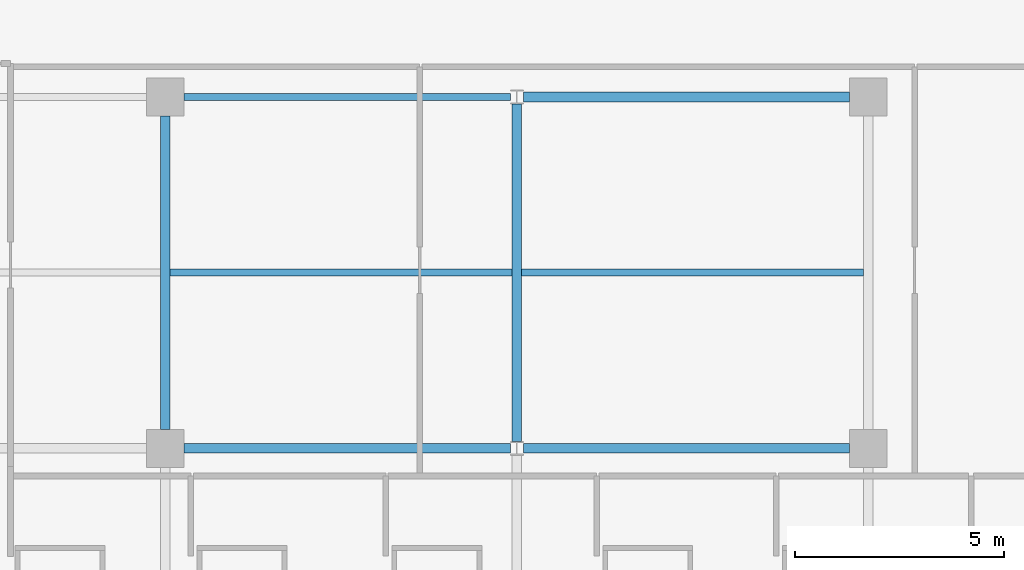
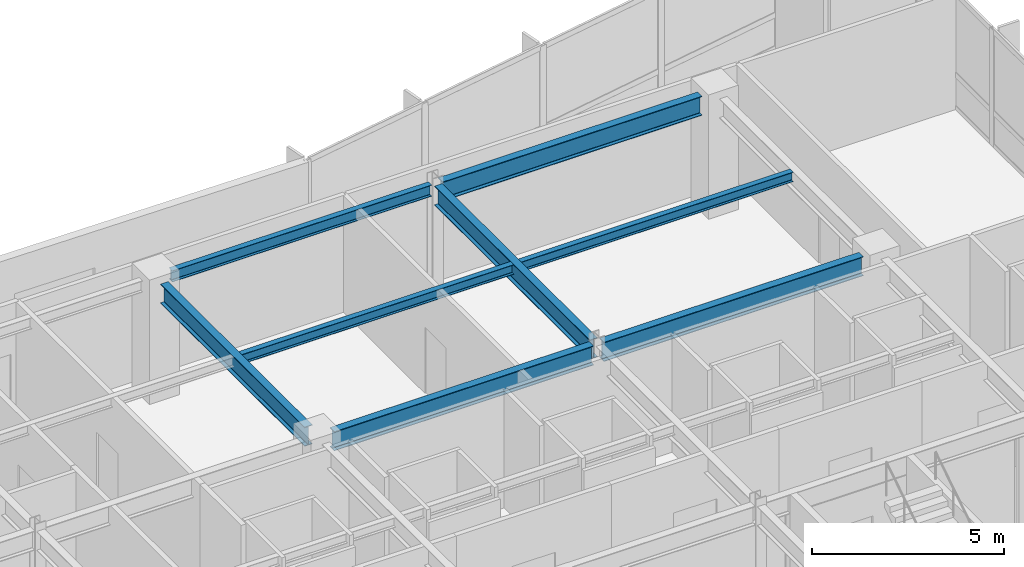
# One storey, part 6 of 19: 8 beams.
"""IFC4 building model written with IfcOpenShell, lengths in metres."""

from ifc_helpers import new_model, si_unit, direction, frame, origin, origin_2d, place, context, subcontext, project, spatial, i_section, extrude, material, material_profile, profile_set, type_object, element, save


model = new_model("IFC4")

# Units and contexts
model_context = context("Model", 3, precision=1e-05, world=origin(), true_north=direction((0.0, 1.0)))
body_context = subcontext(model_context, "Body", "Model", "MODEL_VIEW")
ifc_project = project(units=[si_unit("LENGTHUNIT", "METRE"), si_unit("AREAUNIT", "SQUARE_METRE"), si_unit("VOLUMEUNIT", "CUBIC_METRE"), si_unit("PLANEANGLEUNIT", "RADIAN"), si_unit("MASSUNIT", "GRAM", prefix="KILO")], contexts=[model_context])

# Site, building, storey
site_placement = place(None, origin())
site = spatial("IfcSite", under=ifc_project, at=site_placement, CompositionType="ELEMENT")
building_placement = place(site_placement, origin())
building = spatial("IfcBuilding", under=site, at=building_placement, Name="Varnakote Quay Hospital", CompositionType="ELEMENT")
storey_placement = place(building_placement, frame((0.0, 0.0, 85.699951171875)))
storey = spatial("IfcBuildingStorey", under=building, at=storey_placement, Name="L21", CompositionType="ELEMENT", Elevation=85.699951171875)

# Beams
ifc_material_1 = material(Name="Structural steel AS/NZS 3679.1 Grade 350 L0 (fy 340 MPa)", Category="steel")
ifc_material_profile_1 = material_profile(ifc_material_1, i_section(OverallWidth=0.22900390625, OverallDepth=0.612060546875, WebThickness=0.011962890625, FlangeThickness=0.01953125, FilletRadius=0.013916015625, at=origin_2d()), Name="610UB125")
ifc_profile_set_1 = profile_set([ifc_material_profile_1], Name="Structural steel AS/NZS 3679.1 Grade 350 L0 (fy 340 MPa)")
beam_type_1 = type_object("IfcBeamType", Name="BM-STL-610UB125", PredefinedType="BEAM", material=ifc_profile_set_1)
for number, where, z_axis, x_axis, name in (
    (1, (34.050048828125, 20.39990234375, 3.404052734375), (1.0, 0.0, 0.0), (0.0, 1.0, 0.0), "L21 Primary Floor Beam"),
    (2, (42.155517578125, 20.39990234375, 3.404052734375), (1.0, 0.0, 0.0), (0.0, 1.0, 0.0), "L21 Primary Floor Beam"),
    (3, (42.155517578125, 28.800048828125, 3.404052734375), (1.0, 0.0, 0.0), (0.0, 1.0, 0.0), "L21 Primary Floor Beam"),
):
    element("IfcBeam", number, at=place(storey_placement, frame(where, z_axis=z_axis, x_axis=x_axis)), inside=storey, type_object=beam_type_1, Name=name, PredefinedType="BEAM", context=body_context, shape_type="SweptSolid", body=[
        extrude(i_section(OverallWidth=0.22900390625, OverallDepth=0.612060546875, WebThickness=0.011962890625, FlangeThickness=0.01953125, FilletRadius=0.013916015625, at=origin_2d()), origin(), (0.0, 0.0, 1.0), 7.79443359375),
    ])
beam_1_placement = place(storey_placement, frame((33.60009765625, 20.85009765625, 3.404052734375), z_axis=(0.0, 1.0, 0.0), x_axis=(-1.0, 0.0, 0.0)))
element("IfcBeam", 4, at=beam_1_placement, inside=storey, type_object=beam_type_1, Name="L21 Primary Tie Beam", PredefinedType="BEAM", context=body_context, shape_type="SweptSolid", body=[
    extrude(i_section(OverallWidth=0.22900390625, OverallDepth=0.612060546875, WebThickness=0.011962890625, FlangeThickness=0.01953125, FilletRadius=0.013916015625, at=origin_2d()), origin(), (0.0, 0.0, 1.0), 7.5),
])
beam_2_placement = place(storey_placement, frame((42.0, 20.5634765625, 3.404052734375), z_axis=(0.0, 1.0, 0.0), x_axis=(-1.0, 0.0, 0.0)))
element("IfcBeam", 5, at=beam_2_placement, inside=storey, type_object=beam_type_1, Name="L21 Primary Tie Beam", PredefinedType="BEAM", context=body_context, shape_type="SweptSolid", body=[
    extrude(i_section(OverallWidth=0.22900390625, OverallDepth=0.612060546875, WebThickness=0.011962890625, FlangeThickness=0.01953125, FilletRadius=0.013916015625, at=origin_2d()), origin(), (0.0, 0.0, 1.0), 8.072998046875),
])
ifc_material_2 = material(Name="Structural steel AS/NZS 3679.1 Grade 350 L0 (fy 340 MPa)", Category="steel")
ifc_material_profile_2 = material_profile(ifc_material_2, i_section(OverallWidth=0.166015625, OverallDepth=0.306884765625, WebThickness=0.006591796875, FlangeThickness=0.01171875, FilletRadius=0.011474609375, at=origin_2d()), Name="310UB46.2")
ifc_profile_set_2 = profile_set([ifc_material_profile_2], Name="Structural steel AS/NZS 3679.1 Grade 350 L0 (fy 340 MPa)")
beam_type_2 = type_object("IfcBeamType", Name="JST-STL-310UB46-2", PredefinedType="JOIST", material=ifc_profile_set_2)
for number, where, z_axis, x_axis, name in (
    (6, (33.714599609375, 24.60009765625, 3.556640625), (1.0, 0.0, 0.0), (0.0, 1.0, 0.0), "L21 Composite Floor Joist"),
    (7, (42.114501953125, 24.60009765625, 3.556640625), (1.0, 0.0, 0.0), (0.0, 1.0, 0.0), "L21 Composite Floor Joist"),
):
    element("IfcBeam", number, at=place(storey_placement, frame(where, z_axis=z_axis, x_axis=x_axis)), inside=storey, type_object=beam_type_2, Name=name, PredefinedType="JOIST", context=body_context, shape_type="SweptSolid", body=[
        extrude(i_section(OverallWidth=0.166015625, OverallDepth=0.306884765625, WebThickness=0.006591796875, FlangeThickness=0.01171875, FilletRadius=0.011474609375, at=origin_2d()), origin(), (0.0, 0.0, 1.0), 8.1708984375),
    ])
ifc_material_3 = material(Name="Structural steel AS/NZS 3679.1 Grade 350 L0 (fy 340 MPa)", Category="steel")
ifc_material_profile_3 = material_profile(ifc_material_3, i_section(OverallWidth=0.172119140625, OverallDepth=0.35888671875, WebThickness=0.008056640625, FlangeThickness=0.012939453125, FilletRadius=0.011474609375, at=origin_2d()), Name="360UB56.7")
ifc_profile_set_3 = profile_set([ifc_material_profile_3], Name="Structural steel AS/NZS 3679.1 Grade 350 L0 (fy 340 MPa)")
beam_type_3 = type_object("IfcBeamType", Name="SPN-STL-360UB56-7", PredefinedType="SPANDREL", material=ifc_profile_set_3)
beam_3_placement = place(storey_placement, frame((34.050048828125, 28.800048828125, 3.530517578125), z_axis=(1.0, 0.0, 0.0), x_axis=(0.0, 1.0, 0.0)))
element("IfcBeam", 8, at=beam_3_placement, inside=storey, type_object=beam_type_3, Name="L21 Perimeter Spandrel Beam", PredefinedType="SPANDREL", context=body_context, shape_type="SweptSolid", body=[
    extrude(i_section(OverallWidth=0.172119140625, OverallDepth=0.35888671875, WebThickness=0.008056640625, FlangeThickness=0.012939453125, FilletRadius=0.011474609375, at=origin_2d()), origin(), (0.0, 0.0, 1.0), 7.79443359375),
])

save(model, "model.ifc")
